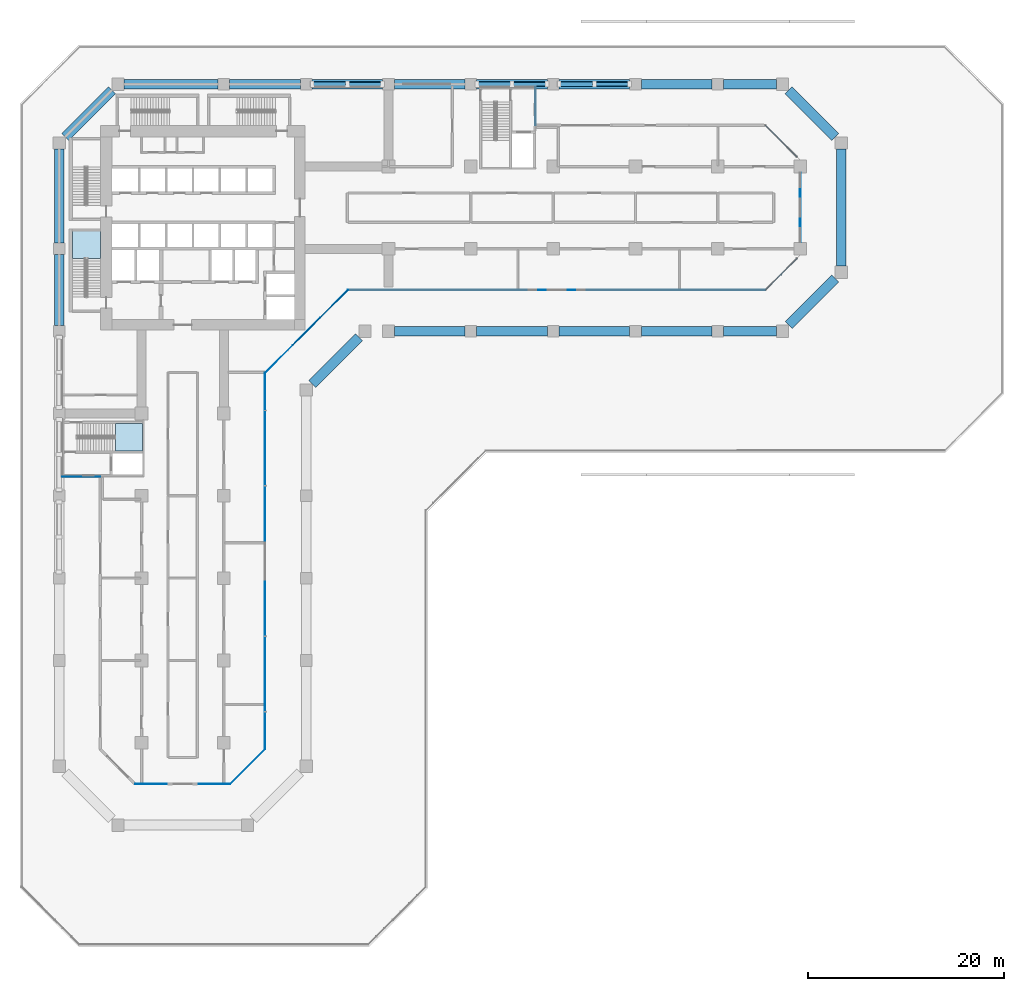
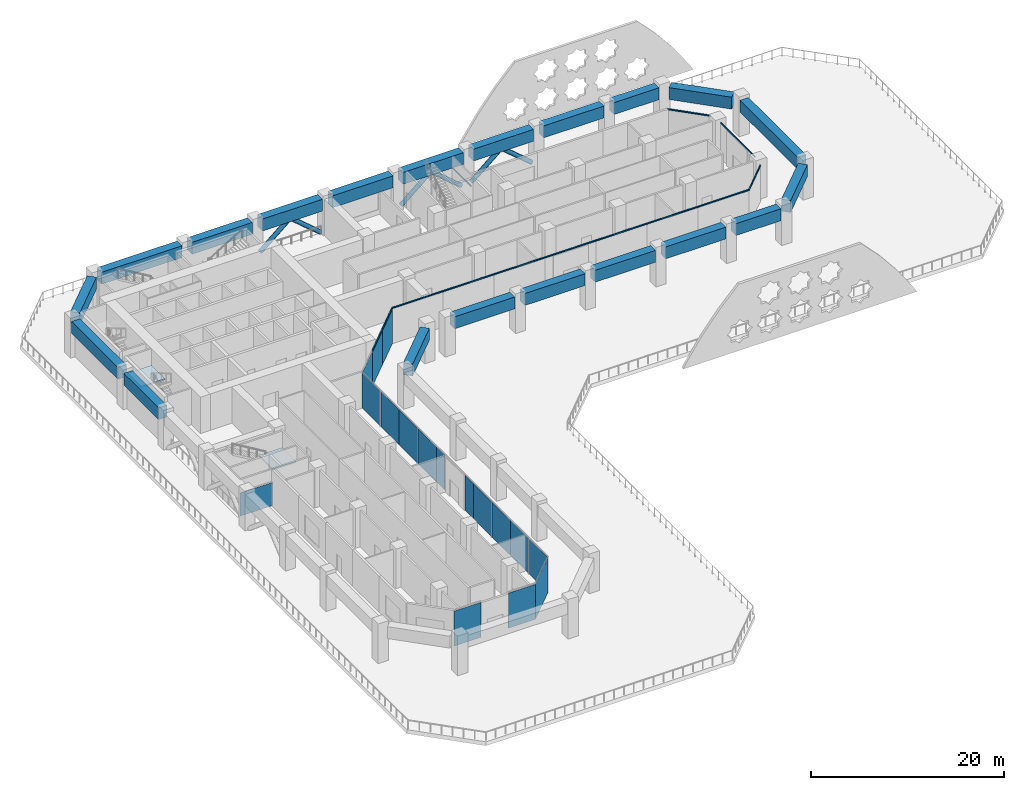
# One storey, part 3 of 19: 20 beams, 19 members, 17 plates, 2 slabs, 12 elements without a shape of their own.
"""IFC4 building model written with IfcOpenShell, lengths in metres."""

import ifcopenshell
import ifcopenshell.guid

model = None  # the IFC model being written
_history = None  # IfcOwnerHistory: only IFC2X3 demands one
_inside = {}  # id of a spatial element -> (the spatial element, [elements in it])
_under = {}  # id of a project, library or spatial element -> (it, [spatial elements below it])
_declared = {}  # id of a project -> (the project, [libraries it declares])
_typed = {}  # id of a type object -> (the type object, [elements of that type])
_made_of = {}  # id of a material, layer set ... -> (it, [elements and type objects made of it])


def new_model(schema):
    """Start an empty IFC model of exactly this schema.

    Asked for "IFC4X3", IfcOpenShell would pick the latest addendum, in which some entities
    have other attributes; the version numbers below select the first issue.
    IFC2X3 requires an IfcOwnerHistory on every rooted entity: one is made here for all.
    """
    global model, _history
    if schema == "IFC4X3":
        model = ifcopenshell.file(schema_version=(4, 3, 0, 0))
    else:
        model = ifcopenshell.file(schema=schema)
    _inside.clear()
    _under.clear()
    _declared.clear()
    _typed.clear()
    _made_of.clear()
    _history = None
    if model.schema == "IFC2X3":
        org = make("IfcOrganization", Name="unknown")
        user = make(
            "IfcPersonAndOrganization",
            ThePerson=make("IfcPerson", FamilyName="unknown"),
            TheOrganization=org,
        )
        app = make(
            "IfcApplication",
            ApplicationDeveloper=org,
            Version="unknown",
            ApplicationFullName="unknown",
            ApplicationIdentifier="unknown",
        )
        _history = make(
            "IfcOwnerHistory",
            OwningUser=user,
            OwningApplication=app,
            ChangeAction="ADDED",
            CreationDate=0,
        )
    return model


def make(cls, **values):
    """One entity of the class cls with the attributes given. An attribute that is None is left unset."""
    return model.create_entity(
        cls, **{name: value for name, value in values.items() if value is not None}
    )


def rooted(cls, **values):
    """An entity with a GlobalId (a new one), such as an element, a storey or a relation."""
    return make(cls, GlobalId=ifcopenshell.guid.new(), OwnerHistory=_history, **values)


def si_unit(unit_type, name, prefix=None):
    """IfcSIUnit, for example si_unit("LENGTHUNIT", "METRE", prefix="MILLI")."""
    return make("IfcSIUnit", UnitType=unit_type, Prefix=prefix, Name=name)


def assignment(units):
    """IfcUnitAssignment: the units of a project."""
    return None if units is None else make("IfcUnitAssignment", Units=units)


def point(xyz):
    """IfcCartesianPoint."""
    return None if xyz is None else make("IfcCartesianPoint", Coordinates=xyz)


def direction(xyz):
    """IfcDirection."""
    return None if xyz is None else make("IfcDirection", DirectionRatios=xyz)


def frame(location, z_axis=None, x_axis=None):
    """IfcAxis2Placement3D, a coordinate frame: its origin and axes. An axis left out is left unset."""
    return make(
        "IfcAxis2Placement3D",
        Location=point(location),
        Axis=direction(z_axis),
        RefDirection=direction(x_axis),
    )


def frame_2d(location, x_axis=None):
    """IfcAxis2Placement2D, a coordinate frame in the plane: its origin and x axis."""
    return make(
        "IfcAxis2Placement2D", Location=point(location), RefDirection=direction(x_axis)
    )


def origin():
    """The frame at (0, 0, 0) with its axes left unset."""
    return frame((0.0, 0.0, 0.0))


def origin_2d():
    """The frame at (0, 0) in the plane with its x axis left unset."""
    return frame_2d((0.0, 0.0))


def place(relative_to, where):
    """IfcLocalPlacement: puts the frame where relative to a parent placement (None: the world)."""
    return make(
        "IfcLocalPlacement", PlacementRelTo=relative_to, RelativePlacement=where
    )


def context(
    kind, dimensions, precision=None, world=None, true_north=None, identifier=None
):
    """IfcGeometricRepresentationContext, for example the 3D "Model" context."""
    return make(
        "IfcGeometricRepresentationContext",
        ContextIdentifier=identifier,
        ContextType=kind,
        CoordinateSpaceDimension=dimensions,
        Precision=precision,
        WorldCoordinateSystem=world,
        TrueNorth=true_north,
    )


def subcontext(parent, identifier, kind, view, scale=None):
    """IfcGeometricRepresentationSubContext, for example "Body" below "Model"."""
    return make(
        "IfcGeometricRepresentationSubContext",
        ContextIdentifier=identifier,
        ContextType=kind,
        ParentContext=parent,
        TargetScale=scale,
        TargetView=view,
    )


def project(units=None, contexts=None):
    """IfcProject with its units and contexts."""
    return rooted(
        "IfcProject",
        Name="project",
        RepresentationContexts=contexts,
        UnitsInContext=assignment(units),
    )


def spatial(cls, under=None, at=None, **own):
    """A site, building, storey or space (cls), placed at a placement, below another one or the project."""
    s = rooted(cls, ObjectPlacement=at, **own)
    if under is not None:
        _under.setdefault(under.id(), (under, []))[1].append(s)
    return s


def polyline(points):
    """IfcPolyline through the points."""
    return make("IfcPolyline", Points=[point(p) for p in points])


def profile(cls, at=None, kind="AREA", **sizes):
    """A parametric profile (cls). Its sizes go by their IFC names, for example OverallWidth=200.0."""
    return make(cls, ProfileType=kind, Position=at, **sizes)


def rectangle(**sizes):
    """IfcRectangleProfileDef."""
    return profile("IfcRectangleProfileDef", **sizes)


def hollow_circle(**sizes):
    """IfcCircleHollowProfileDef."""
    return profile("IfcCircleHollowProfileDef", **sizes)


def outline(outer, holes=None, kind="AREA"):
    """IfcArbitraryClosedProfileDef: a profile drawn as a closed curve; with holes, ...WithVoids."""
    if holes is None:
        return make("IfcArbitraryClosedProfileDef", ProfileType=kind, OuterCurve=outer)
    return make(
        "IfcArbitraryProfileDefWithVoids",
        ProfileType=kind,
        OuterCurve=outer,
        InnerCurves=holes,
    )


def extrude(swept, where, along, depth):
    """IfcExtrudedAreaSolid: the profile swept, set in the frame where, extruded along a direction by depth."""
    return make(
        "IfcExtrudedAreaSolid",
        SweptArea=swept,
        Position=where,
        ExtrudedDirection=direction(along),
        Depth=depth,
    )


def shape(context_of_items, identifier, shape_type, items):
    """IfcShapeRepresentation: the items that make up one representation, for example the "Body"."""
    return make(
        "IfcShapeRepresentation",
        ContextOfItems=context_of_items,
        RepresentationIdentifier=identifier,
        RepresentationType=shape_type,
        Items=items,
    )


def material(Name=None, Category=None):
    """IfcMaterial."""
    return make("IfcMaterial", Name=Name, Category=Category)


def layer(
    of_material, thickness, ventilated=None, Name=None, Category=None, Priority=None
):
    """IfcMaterialLayer: one layer of a wall or slab, of a material (None: an air gap)."""
    return make(
        "IfcMaterialLayer",
        Material=of_material,
        LayerThickness=thickness,
        IsVentilated=ventilated,
        Name=Name,
        Category=Category,
        Priority=Priority,
    )


def layer_set(layers, Name=None):
    """IfcMaterialLayerSet."""
    return make("IfcMaterialLayerSet", MaterialLayers=layers, LayerSetName=Name)


def material_profile(
    of_material, cross_section, Name=None, Category=None, Priority=None
):
    """IfcMaterialProfile: a cross section and its material."""
    return make(
        "IfcMaterialProfile",
        Name=Name,
        Material=of_material,
        Profile=cross_section,
        Priority=Priority,
        Category=Category,
    )


def profile_set(profiles, Name=None, composite=None):
    """IfcMaterialProfileSet."""
    return make(
        "IfcMaterialProfileSet",
        Name=Name,
        MaterialProfiles=profiles,
        CompositeProfile=composite,
    )


def made_of(thing, what):
    """Note that an element or type object is made of a material, layer set ...; save() writes the relation."""
    if what is not None:
        _made_of.setdefault(what.id(), (what, []))[1].append(thing)
    return thing


def type_object(cls, material=None, **own):
    """A type object (cls), such as IfcWallType, which elements share."""
    return made_of(rooted(cls, **own), material)


def element(
    cls,
    number,
    at=None,
    inside=None,
    cuts=None,
    type_object=None,
    material=None,
    context=None,
    identifier="Body",
    shape_type=None,
    held_by="IfcProductDefinitionShape",
    body=None,
    shapes=None,
    **own,
):
    """One element of the class cls, such as IfcWall. Its Tag is "e" and its number.

    at: its placement. inside: the storey or other place that contains it. cuts: it is an
    opening in that element (IfcRelVoidsElement). A single representation is given by context,
    identifier, shape_type and body (its items); several are given by shapes. held_by: the class
    of the entity that holds the representations. save() writes the other relations.
    """
    e = rooted(cls, Tag="e%d" % number, ObjectPlacement=at, **own)
    if body is not None:
        shapes = [shape(context, identifier, shape_type, body)]
    if shapes is not None:
        e.Representation = make(held_by, Representations=shapes)
    if inside is not None:
        _inside.setdefault(inside.id(), (inside, []))[1].append(e)
    if cuts is not None:
        rooted(
            "IfcRelVoidsElement", RelatingBuildingElement=cuts, RelatedOpeningElement=e
        )
    if type_object is not None:
        _typed.setdefault(type_object.id(), (type_object, []))[1].append(e)
    return made_of(e, material)


def aggregate(whole, parts):
    """IfcRelAggregates: a whole, such as a stair, and the parts it consists of."""
    return rooted("IfcRelAggregates", RelatingObject=whole, RelatedObjects=parts)


def save(model, path):
    """Write the relations noted so far, then the file.

    IfcRelAggregates (storeys below a building ...), IfcRelContainedInSpatialStructure (elements
    in a storey), IfcRelDefinesByType, IfcRelAssociatesMaterial and IfcRelDeclares: one each for
    every whole, place, type object, material and project.
    """
    for whole, parts in _under.values():
        aggregate(whole, parts)
    for where, things in _inside.values():
        rooted(
            "IfcRelContainedInSpatialStructure",
            RelatedElements=things,
            RelatingStructure=where,
        )
    for kind, things in _typed.values():
        rooted("IfcRelDefinesByType", RelatedObjects=things, RelatingType=kind)
    for what, things in _made_of.values():
        rooted("IfcRelAssociatesMaterial", RelatedObjects=things, RelatingMaterial=what)
    for by, libraries in _declared.values():
        rooted("IfcRelDeclares", RelatingContext=by, RelatedDefinitions=libraries)
    model.write(path)


model = new_model("IFC4")

# Units and contexts
model_context = context("Model", 3, precision=1e-05, world=origin(), true_north=direction((0.0, 1.0)))
body_context = subcontext(model_context, "Body", "Model", "MODEL_VIEW")
ifc_project = project(units=[si_unit("LENGTHUNIT", "METRE"), si_unit("AREAUNIT", "SQUARE_METRE"), si_unit("VOLUMEUNIT", "CUBIC_METRE"), si_unit("PLANEANGLEUNIT", "RADIAN"), si_unit("MASSUNIT", "GRAM", prefix="KILO")], contexts=[model_context])

# Site, building, storey
site_placement = place(None, origin())
site = spatial("IfcSite", under=ifc_project, at=site_placement, CompositionType="ELEMENT")
building_placement = place(site_placement, origin())
building = spatial("IfcBuilding", under=site, at=building_placement, Name="Kawkab Arch Medical Tower", CompositionType="ELEMENT")
storey_placement = place(building_placement, frame((0.0, 0.0, 34.199951171875)))
storey = spatial("IfcBuildingStorey", under=building, at=storey_placement, Name="L07", CompositionType="ELEMENT", Elevation=34.199951171875)

# Members
ifc_material_1 = material(Name="Steel S355", Category="steel")
ifc_material_profile_1 = material_profile(ifc_material_1, hollow_circle(Radius=0.25390625, WallThickness=0.02490234375, at=origin_2d()), Name="CHS 508x25")
ifc_profile_set_1 = profile_set([ifc_material_profile_1], Name="Steel S355")
member_type_1 = type_object("IfcMemberType", Name="CHS 508x25 belt truss brace S355", PredefinedType="BRACE", material=ifc_profile_set_1)
for number, where, z_axis, x_axis, name in (
    (1, (25.815185546875, 0.0, 0.143310546875), (0.762868613772, 0.0, 0.646553538481), (0.0, 1.0, 0.0), "Belt truss brace L07-N01A"),
    (2, (32.984619140625, 0.0, 0.143310546875), (-0.762846847317, 0.0, 0.646579219847), (0.0, -1.0, 0.0), "Belt truss brace L07-N01B"),
    (3, (42.615234375, 0.0, 0.143310546875), (0.762868613772, 0.0, 0.646553538481), (0.0, 1.0, 0.0), "Belt truss brace L07-N02A"),
    (4, (49.78466796875, 0.0, 0.143310546875), (-0.762868613772, 0.0, 0.646553538481), (0.0, -1.0, 0.0), "Belt truss brace L07-N02B"),
    (5, (51.015380859375, 0.0, 0.143310546875), (0.762846847317, 0.0, 0.646579219847), (0.0, 1.0, 0.0), "Belt truss brace L07-N03A"),
    (6, (58.184814453125, 0.0, 0.143310546875), (-0.762868613772, 0.0, 0.646553538481), (0.0, -1.0, 0.0), "Belt truss brace L07-N03B"),
):
    element("IfcMember", number, at=place(storey_placement, frame(where, z_axis=z_axis, x_axis=x_axis)), inside=storey, type_object=member_type_1, Name=name, PredefinedType="BRACE", context=body_context, shape_type="SweptSolid", body=[
        extrude(hollow_circle(Radius=0.25390625, WallThickness=0.02490234375, at=origin_2d()), origin(), (0.0, 0.0, 1.0), 4.68896484375),
    ])

# Curtain wall, members
ifc_material_2 = material(Name="Bronze anodised aluminium curtain wall frame", Category="aluminium")
ifc_layer_1 = layer(ifc_material_2, 0.159912109375)
ifc_layer_set_1 = layer_set([ifc_layer_1], Name="Bronze anodised aluminium curtain wall frame")
curtain_wall_type = type_object("IfcCurtainWallType", Name="CW4 refuge floor fire-protected glazing", PredefinedType="NOTDEFINED", material=ifc_layer_set_1)
placement_1 = place(storey_placement, origin())
curtain_wall_1 = element("IfcCurtainWall", 7, at=placement_1, inside=storey, type_object=curtain_wall_type, Name="CW4 Refuge floor fire-protected glazing R10", PredefinedType="NOTDEFINED")
ifc_material_3 = material(Name="Bronze anodised aluminium curtain wall frame", Category="aluminium")
ifc_material_profile_2 = material_profile(ifc_material_3, rectangle(XDim=0.080078125, YDim=0.159912109375, at=origin_2d()), Name="AL 80x160")
ifc_profile_set_2 = profile_set([ifc_material_profile_2], Name="Bronze anodised aluminium curtain wall frame")
member_type_2 = type_object("IfcMemberType", Name="CW4 transom 160 x 80", PredefinedType="USERDEFINED", material=ifc_profile_set_2)
member_1_placement = place(storey_placement, frame((23.820068359375, -26.639892578125, 4.5), z_axis=(0.707106781187, 0.707106781187, 0.0), x_axis=(-0.707106781187, 0.707106781187, 0.0)))
member_1 = element("IfcMember", 8, at=member_1_placement, type_object=member_type_2, Name="CW4 transom 2", ObjectType="TRANSOM", PredefinedType="USERDEFINED", context=body_context, shape_type="SweptSolid", body=[
    extrude(rectangle(XDim=0.080078125, YDim=0.159912109375, at=origin_2d()), origin(), (0.0, 0.0, 1.0), 3.98779296875),
])
member_2_placement = place(storey_placement, frame((26.639892578125, -23.820068359375, 4.5), z_axis=(0.707106781187, 0.707106781187, 0.0), x_axis=(-0.707106781187, 0.707106781187, 0.0)))
member_2 = element("IfcMember", 9, at=member_2_placement, type_object=member_type_2, Name="CW4 transom 3", ObjectType="TRANSOM", PredefinedType="USERDEFINED", context=body_context, shape_type="SweptSolid", body=[
    extrude(rectangle(XDim=0.080078125, YDim=0.159912109375, at=origin_2d()), origin(), (0.0, 0.0, 1.0), 3.98828125),
])

curtain_wall_2 = element("IfcCurtainWall", 10, at=placement_1, inside=storey, type_object=curtain_wall_type, Name="CW4 Refuge floor fire-protected glazing R11", PredefinedType="NOTDEFINED")
member_3_placement = place(storey_placement, frame((29.4599609375, -21.0, 4.5), z_axis=(1.0, 0.0, 0.0), x_axis=(0.0, 1.0, 0.0)))
member_3 = element("IfcMember", 11, at=member_3_placement, type_object=member_type_2, Name="CW4 transom 1", ObjectType="TRANSOM", PredefinedType="USERDEFINED", context=body_context, shape_type="SweptSolid", body=[
    extrude(rectangle(XDim=0.080078125, YDim=0.159912109375, at=origin_2d()), origin(), (0.0, 0.0, 1.0), 6.085693359375),
])
member_4_placement = place(storey_placement, frame((35.545654296875, -21.0, 4.5), z_axis=(1.0, 0.0, 0.0), x_axis=(0.0, 1.0, 0.0)))
member_4 = element("IfcMember", 12, at=member_4_placement, type_object=member_type_2, Name="CW4 transom 2", ObjectType="TRANSOM", PredefinedType="USERDEFINED", context=body_context, shape_type="SweptSolid", body=[
    extrude(rectangle(XDim=0.080078125, YDim=0.159912109375, at=origin_2d()), origin(), (0.0, 0.0, 1.0), 6.085693359375),
])
member_5_placement = place(storey_placement, frame((41.63134765625, -21.0, 4.5), z_axis=(1.0, 0.0, 0.0), x_axis=(0.0, 1.0, 0.0)))
member_5 = element("IfcMember", 13, at=member_5_placement, type_object=member_type_2, Name="CW4 transom 3", ObjectType="TRANSOM", PredefinedType="USERDEFINED", context=body_context, shape_type="SweptSolid", body=[
    extrude(rectangle(XDim=0.080078125, YDim=0.159912109375, at=origin_2d()), origin(), (0.0, 0.0, 1.0), 6.085693359375),
])
member_6_placement = place(storey_placement, frame((47.717041015625, -21.0, 4.5), z_axis=(1.0, 0.0, 0.0), x_axis=(0.0, 1.0, 0.0)))
member_6 = element("IfcMember", 14, at=member_6_placement, type_object=member_type_2, Name="CW4 transom 4", ObjectType="TRANSOM", PredefinedType="USERDEFINED", context=body_context, shape_type="SweptSolid", body=[
    extrude(rectangle(XDim=0.080078125, YDim=0.159912109375, at=origin_2d()), origin(), (0.0, 0.0, 1.0), 6.0859375),
])
member_7_placement = place(storey_placement, frame((53.802978515625, -21.0, 4.5), z_axis=(1.0, 0.0, 0.0), x_axis=(0.0, 1.0, 0.0)))
member_7 = element("IfcMember", 15, at=member_7_placement, type_object=member_type_2, Name="CW4 transom 5", ObjectType="TRANSOM", PredefinedType="USERDEFINED", context=body_context, shape_type="SweptSolid", body=[
    extrude(rectangle(XDim=0.080078125, YDim=0.159912109375, at=origin_2d()), origin(), (0.0, 0.0, 1.0), 6.085693359375),
])
member_8_placement = place(storey_placement, frame((59.888671875, -21.0, 4.5), z_axis=(1.0, 0.0, 0.0), x_axis=(0.0, 1.0, 0.0)))
member_8 = element("IfcMember", 16, at=member_8_placement, type_object=member_type_2, Name="CW4 transom 6", ObjectType="TRANSOM", PredefinedType="USERDEFINED", context=body_context, shape_type="SweptSolid", body=[
    extrude(rectangle(XDim=0.080078125, YDim=0.159912109375, at=origin_2d()), origin(), (0.0, 0.0, 1.0), 6.085693359375),
])
member_9_placement = place(storey_placement, frame((65.974365234375, -21.0, 4.5), z_axis=(1.0, 0.0, 0.0), x_axis=(0.0, 1.0, 0.0)))
member_9 = element("IfcMember", 17, at=member_9_placement, type_object=member_type_2, Name="CW4 transom 7", ObjectType="TRANSOM", PredefinedType="USERDEFINED", context=body_context, shape_type="SweptSolid", body=[
    extrude(rectangle(XDim=0.080078125, YDim=0.159912109375, at=origin_2d()), origin(), (0.0, 0.0, 1.0), 6.085693359375),
])
aggregate(curtain_wall_2, [member_3, member_4, member_5, member_6, member_7, member_8, member_9])

# Curtain wall, member
curtain_wall_3 = element("IfcCurtainWall", 18, at=placement_1, inside=storey, type_object=curtain_wall_type, Name="CW4 Refuge floor fire-protected glazing R12", PredefinedType="NOTDEFINED")
member_10_placement = place(storey_placement, frame((72.06005859375, -21.0, 4.5), z_axis=(0.707106781187, 0.707106781187, 0.0), x_axis=(-0.707106781187, 0.707106781187, 0.0)))
member_10 = element("IfcMember", 19, at=member_10_placement, type_object=member_type_2, Name="CW4 transom 1", ObjectType="TRANSOM", PredefinedType="USERDEFINED", context=body_context, shape_type="SweptSolid", body=[
    extrude(rectangle(XDim=0.080078125, YDim=0.159912109375, at=origin_2d()), origin(), (0.0, 0.0, 1.0), 4.5537109375),
])
aggregate(curtain_wall_3, [member_10])

curtain_wall_4 = element("IfcCurtainWall", 20, at=placement_1, inside=storey, type_object=curtain_wall_type, Name="CW4 Refuge floor fire-protected glazing R13", PredefinedType="NOTDEFINED")
member_11_placement = place(storey_placement, frame((75.60009765625, -16.14990234375, 4.5), z_axis=(0.0, 1.0, 0.0), x_axis=(-1.0, 0.0, 0.0)))
member_11 = element("IfcMember", 21, at=member_11_placement, type_object=member_type_2, Name="CW4 transom 1", ObjectType="TRANSOM", PredefinedType="USERDEFINED", context=body_context, shape_type="SweptSolid", body=[
    extrude(rectangle(XDim=0.080078125, YDim=0.159912109375, at=origin_2d()), origin(), (0.0, 0.0, 1.0), 7.099853515625),
])
aggregate(curtain_wall_4, [member_11])

curtain_wall_5 = element("IfcCurtainWall", 22, at=placement_1, inside=storey, type_object=curtain_wall_type, Name="CW4 Refuge floor fire-protected glazing R14", PredefinedType="NOTDEFINED")
member_12_placement = place(storey_placement, frame((75.280029296875, -7.419921875, 4.5), z_axis=(-0.707106781187, 0.707106781187, 0.0), x_axis=(-0.707106781187, -0.707106781187, 0.0)))
member_12 = element("IfcMember", 23, at=member_12_placement, type_object=member_type_2, Name="CW4 transom 1", ObjectType="TRANSOM", PredefinedType="USERDEFINED", context=body_context, shape_type="SweptSolid", body=[
    extrude(rectangle(XDim=0.080078125, YDim=0.159912109375, at=origin_2d()), origin(), (0.0, 0.0, 1.0), 4.5537109375),
])
aggregate(curtain_wall_5, [member_12])

curtain_wall_6 = element("IfcCurtainWall", 24, at=placement_1, inside=storey, type_object=curtain_wall_type, Name="CW4 Refuge floor fire-protected glazing R16", PredefinedType="NOTDEFINED")
member_13_placement = place(storey_placement, frame((48.60107421875, -4.199951171875, 3.0), z_axis=(0.0, 1.0, 0.0), x_axis=(-1.0, 0.0, 0.0)))
member_13 = element("IfcMember", 25, at=member_13_placement, type_object=member_type_2, Name="CW4 transom 1", ObjectType="TRANSOM", PredefinedType="USERDEFINED", context=body_context, shape_type="SweptSolid", body=[
    extrude(rectangle(XDim=0.080078125, YDim=0.159912109375, at=origin_2d()), origin(), (0.0, 0.0, 1.0), 3.89990234375),
])
aggregate(curtain_wall_6, [member_13])

# Beams
ifc_material_4 = material(Name="Concrete C60/75", Category="concrete")
ifc_material_profile_3 = material_profile(ifc_material_4, rectangle(XDim=1.0, YDim=1.5, at=origin_2d()), Name="RC 1000x1500")
ifc_profile_set_3 = profile_set([ifc_material_profile_3], Name="Concrete C60/75")
beam_type = type_object("IfcBeamType", Name="RC 1000x1500 beam C60/75", PredefinedType="SPANDREL", material=ifc_profile_set_3)
beam_1_placement = place(storey_placement, frame((0.625, -5.375, 3.830078125), z_axis=(0.707106781187, 0.707106781187, 0.0), x_axis=(-0.707106781187, 0.707106781187, 0.0)))
element("IfcBeam", 26, at=beam_1_placement, inside=storey, type_object=beam_type, Name="Belt beam L07-01", PredefinedType="SPANDREL", context=body_context, shape_type="SweptSolid", body=[
    extrude(rectangle(XDim=1.0, YDim=1.5, at=origin_2d()), origin(), (0.0, 0.0, 1.0), 6.717529296875),
])
beam_2_placement = place(storey_placement, frame((6.625, 0.0, 3.830078125), z_axis=(1.0, 0.0, 0.0), x_axis=(0.0, 1.0, 0.0)))
element("IfcBeam", 27, at=beam_2_placement, inside=storey, type_object=beam_type, Name="Belt beam L07-02", PredefinedType="SPANDREL", context=body_context, shape_type="SweptSolid", body=[
    extrude(rectangle(XDim=1.0, YDim=1.5, at=origin_2d()), origin(), (0.0, 0.0, 1.0), 9.574951171875),
])
beam_3_placement = place(storey_placement, frame((17.39990234375, 0.0, 3.830078125), z_axis=(1.0, 0.0, 0.0), x_axis=(0.0, 1.0, 0.0)))
element("IfcBeam", 28, at=beam_3_placement, inside=storey, type_object=beam_type, Name="Belt beam L07-03", PredefinedType="SPANDREL", context=body_context, shape_type="SweptSolid", body=[
    extrude(rectangle(XDim=1.0, YDim=1.5, at=origin_2d()), origin(), (0.0, 0.0, 1.0), 7.2001953125),
])
for number, where, z_axis, x_axis, name in (
    (29, (25.800048828125, 0.0, 3.830078125), (1.0, 0.0, 0.0), (0.0, 1.0, 0.0), "Belt beam L07-04"),
    (30, (34.199951171875, 0.0, 3.830078125), (1.0, 0.0, 0.0), (0.0, 1.0, 0.0), "Belt beam L07-05"),
    (31, (42.60009765625, 0.0, 3.830078125), (1.0, 0.0, 0.0), (0.0, 1.0, 0.0), "Belt beam L07-06"),
    (32, (51.0, 0.0, 3.830078125), (1.0, 0.0, 0.0), (0.0, 1.0, 0.0), "Belt beam L07-07"),
):
    element("IfcBeam", number, at=place(storey_placement, frame(where, z_axis=z_axis, x_axis=x_axis)), inside=storey, type_object=beam_type, Name=name, PredefinedType="SPANDREL", context=body_context, shape_type="SweptSolid", body=[
        extrude(rectangle(XDim=1.0, YDim=1.5, at=origin_2d()), origin(), (0.0, 0.0, 1.0), 7.199951171875),
    ])
beam_4_placement = place(storey_placement, frame((59.39990234375, 0.0, 3.830078125), z_axis=(1.0, 0.0, 0.0), x_axis=(0.0, 1.0, 0.0)))
element("IfcBeam", 33, at=beam_4_placement, inside=storey, type_object=beam_type, Name="Belt beam L07-08", PredefinedType="SPANDREL", context=body_context, shape_type="SweptSolid", body=[
    extrude(rectangle(XDim=1.0, YDim=1.5, at=origin_2d()), origin(), (0.0, 0.0, 1.0), 7.2001953125),
])
beam_5_placement = place(storey_placement, frame((67.800048828125, 0.0, 3.830078125), z_axis=(1.0, 0.0, 0.0), x_axis=(0.0, 1.0, 0.0)))
element("IfcBeam", 34, at=beam_5_placement, inside=storey, type_object=beam_type, Name="Belt beam L07-09", PredefinedType="SPANDREL", context=body_context, shape_type="SweptSolid", body=[
    extrude(rectangle(XDim=1.0, YDim=1.5, at=origin_2d()), origin(), (0.0, 0.0, 1.0), 5.375),
])
beam_6_placement = place(storey_placement, frame((74.425048828125, -0.625, 3.830078125), z_axis=(0.707106781187, -0.707106781187, 0.0), x_axis=(0.707106781187, 0.707106781187, 0.0)))
element("IfcBeam", 35, at=beam_6_placement, inside=storey, type_object=beam_type, Name="Belt beam L07-10", PredefinedType="SPANDREL", context=body_context, shape_type="SweptSolid", body=[
    extrude(rectangle(XDim=1.0, YDim=1.5, at=origin_2d()), origin(), (0.0, 0.0, 1.0), 6.717529296875),
])
beam_7_placement = place(storey_placement, frame((79.800048828125, -6.625, 3.830078125), z_axis=(0.0, -1.0, 0.0), x_axis=(1.0, 0.0, 0.0)))
element("IfcBeam", 36, at=beam_7_placement, inside=storey, type_object=beam_type, Name="Belt beam L07-11", PredefinedType="SPANDREL", context=body_context, shape_type="SweptSolid", body=[
    extrude(rectangle(XDim=1.0, YDim=1.5, at=origin_2d()), origin(), (0.0, 0.0, 1.0), 11.949951171875),
])
beam_8_placement = place(storey_placement, frame((79.175048828125, -19.824951171875, 3.830078125), z_axis=(-0.707106781187, -0.707106781187, 0.0), x_axis=(0.707106781187, -0.707106781187, 0.0)))
element("IfcBeam", 37, at=beam_8_placement, inside=storey, type_object=beam_type, Name="Belt beam L07-12", PredefinedType="SPANDREL", context=body_context, shape_type="SweptSolid", body=[
    extrude(rectangle(XDim=1.0, YDim=1.5, at=origin_2d()), origin(), (0.0, 0.0, 1.0), 6.717529296875),
])
beam_9_placement = place(storey_placement, frame((73.175048828125, -25.199951171875, 3.830078125), z_axis=(-1.0, 0.0, 0.0), x_axis=(0.0, -1.0, 0.0)))
element("IfcBeam", 38, at=beam_9_placement, inside=storey, type_object=beam_type, Name="Belt beam L07-13", PredefinedType="SPANDREL", context=body_context, shape_type="SweptSolid", body=[
    extrude(rectangle(XDim=1.0, YDim=1.5, at=origin_2d()), origin(), (0.0, 0.0, 1.0), 5.375),
])
beam_10_placement = place(storey_placement, frame((66.60009765625, -25.199951171875, 3.830078125), z_axis=(-1.0, 0.0, 0.0), x_axis=(0.0, -1.0, 0.0)))
element("IfcBeam", 39, at=beam_10_placement, inside=storey, type_object=beam_type, Name="Belt beam L07-14", PredefinedType="SPANDREL", context=body_context, shape_type="SweptSolid", body=[
    extrude(rectangle(XDim=1.0, YDim=1.5, at=origin_2d()), origin(), (0.0, 0.0, 1.0), 7.2001953125),
])
for number, where, z_axis, x_axis, name in (
    (40, (58.199951171875, -25.199951171875, 3.830078125), (-1.0, 0.0, 0.0), (0.0, -1.0, 0.0), "Belt beam L07-15"),
    (41, (49.800048828125, -25.199951171875, 3.830078125), (-1.0, 0.0, 0.0), (0.0, -1.0, 0.0), "Belt beam L07-16"),
):
    element("IfcBeam", number, at=place(storey_placement, frame(where, z_axis=z_axis, x_axis=x_axis)), inside=storey, type_object=beam_type, Name=name, PredefinedType="SPANDREL", context=body_context, shape_type="SweptSolid", body=[
        extrude(rectangle(XDim=1.0, YDim=1.5, at=origin_2d()), origin(), (0.0, 0.0, 1.0), 7.199951171875),
    ])
beam_11_placement = place(storey_placement, frame((41.39990234375, -25.199951171875, 3.830078125), z_axis=(-1.0, 0.0, 0.0), x_axis=(0.0, -1.0, 0.0)))
element("IfcBeam", 42, at=beam_11_placement, inside=storey, type_object=beam_type, Name="Belt beam L07-17", PredefinedType="SPANDREL", context=body_context, shape_type="SweptSolid", body=[
    extrude(rectangle(XDim=1.0, YDim=1.5, at=origin_2d()), origin(), (0.0, 0.0, 1.0), 7.1748046875),
])
beam_12_placement = place(storey_placement, frame((30.574951171875, -25.824951171875, 3.830078125), z_axis=(-0.707106781187, -0.707106781187, 0.0), x_axis=(0.707106781187, -0.707106781187, 0.0)))
element("IfcBeam", 43, at=beam_12_placement, inside=storey, type_object=beam_type, Name="Belt beam L07-19", PredefinedType="SPANDREL", context=body_context, shape_type="SweptSolid", body=[
    extrude(rectangle(XDim=1.0, YDim=1.5, at=origin_2d()), origin(), (0.0, 0.0, 1.0), 6.717529296875),
])
beam_13_placement = place(storey_placement, frame((0.0, -24.60009765625, 3.830078125), z_axis=(0.0, 1.0, 0.0), x_axis=(-1.0, 0.0, 0.0)))
element("IfcBeam", 44, at=beam_13_placement, inside=storey, type_object=beam_type, Name="Belt beam L07-32", PredefinedType="SPANDREL", context=body_context, shape_type="SweptSolid", body=[
    extrude(rectangle(XDim=1.0, YDim=1.5, at=origin_2d()), origin(), (0.0, 0.0, 1.0), 7.2001953125),
])
beam_14_placement = place(storey_placement, frame((0.0, -16.199951171875, 3.830078125), z_axis=(0.0, 1.0, 0.0), x_axis=(-1.0, 0.0, 0.0)))
element("IfcBeam", 45, at=beam_14_placement, inside=storey, type_object=beam_type, Name="Belt beam L07-33", PredefinedType="SPANDREL", context=body_context, shape_type="SweptSolid", body=[
    extrude(rectangle(XDim=1.0, YDim=1.5, at=origin_2d()), origin(), (0.0, 0.0, 1.0), 9.574951171875),
])

# Curtain wall, plate
curtain_wall_7 = element("IfcCurtainWall", 46, at=placement_1, inside=storey, type_object=curtain_wall_type, Name="CW4 Refuge floor fire-protected glazing R04", PredefinedType="NOTDEFINED")
ifc_material_5 = material(Name="Fire-resisting laminated glass", Category="glass")
ifc_layer_2 = layer(ifc_material_5, 0.0400390625)
ifc_layer_set_2 = layer_set([ifc_layer_2], Name="Fire-resisting laminated glass")
plate_type = type_object("IfcPlateType", Name="CW4 glazing unit 40", PredefinedType="CURTAIN_PANEL", material=ifc_layer_set_2)
plate_1_placement = place(storey_placement, frame((2.25, -40.050048828125, 0.0), z_axis=(0.0, 0.0, 1.0), x_axis=(1.0, 0.0, 0.0)))
plate_1 = element("IfcPlate", 47, at=plate_1_placement, type_object=plate_type, Name="CW4 glazing unit 1.1", PredefinedType="CURTAIN_PANEL", context=body_context, shape_type="SweptSolid", body=[
    extrude(rectangle(XDim=3.89990234375, YDim=0.0400390625, at=origin_2d()), origin(), (0.0, 0.0, 1.0), 2.919921875),
])
aggregate(curtain_wall_7, [plate_1])

# Curtain wall, plates
curtain_wall_8 = element("IfcCurtainWall", 48, at=placement_1, inside=storey, type_object=curtain_wall_type, Name="CW4 Refuge floor fire-protected glazing R07", PredefinedType="NOTDEFINED")
plate_2_placement = place(storey_placement, frame((9.360107421875, -71.40087890625, 0.0), z_axis=(0.0, 0.0, 1.0), x_axis=(1.0, 0.0, 0.0)))
plate_2 = element("IfcPlate", 49, at=plate_2_placement, type_object=plate_type, Name="CW4 glazing unit 1.1", PredefinedType="CURTAIN_PANEL", context=body_context, shape_type="SweptSolid", body=[
    extrude(rectangle(XDim=3.239990234375, YDim=0.0400390625, at=origin_2d()), origin(), (0.0, 0.0, 1.0), 4.419921875),
])
plate_3_placement = place(storey_placement, frame((15.840087890625, -71.40087890625, 0.0), z_axis=(0.0, 0.0, 1.0), x_axis=(1.0, 0.0, 0.0)))
plate_3 = element("IfcPlate", 50, at=plate_3_placement, type_object=plate_type, Name="CW4 glazing unit 3.1", PredefinedType="CURTAIN_PANEL", context=body_context, shape_type="SweptSolid", body=[
    extrude(rectangle(XDim=3.239990234375, YDim=0.0400390625, at=origin_2d()), origin(), (0.0, 0.0, 1.0), 4.419921875),
])
aggregate(curtain_wall_8, [plate_2, plate_3])

# Curtain wall, plate
curtain_wall_9 = element("IfcCurtainWall", 51, at=placement_1, inside=storey, type_object=curtain_wall_type, Name="CW4 Refuge floor fire-protected glazing R08", PredefinedType="NOTDEFINED")
plate_4_placement = place(storey_placement, frame((19.22998046875, -69.6298828125, 0.0), z_axis=(0.0, 0.0, 1.0), x_axis=(0.707106781187, 0.707106781187, 0.0)))
plate_4 = element("IfcPlate", 52, at=plate_4_placement, type_object=plate_type, Name="CW4 glazing unit 1.1", PredefinedType="CURTAIN_PANEL", context=body_context, shape_type="SweptSolid", body=[
    extrude(rectangle(XDim=5.00634765625, YDim=0.0400390625, at=origin_2d()), origin(), (0.0, 0.0, 1.0), 4.419921875),
])
aggregate(curtain_wall_9, [plate_4])

# Curtain wall, plates
curtain_wall_10 = element("IfcCurtainWall", 53, at=placement_1, inside=storey, type_object=curtain_wall_type, Name="CW4 Refuge floor fire-protected glazing R09", PredefinedType="NOTDEFINED")
plate_5_placement = place(storey_placement, frame((21.0, -65.9599609375, 0.0), z_axis=(0.0, 0.0, 1.0), x_axis=(0.0, 1.0, 0.0)))
plate_5 = element("IfcPlate", 54, at=plate_5_placement, type_object=plate_type, Name="CW4 glazing unit 1.1", PredefinedType="CURTAIN_PANEL", context=body_context, shape_type="SweptSolid", body=[
    extrude(rectangle(XDim=3.800048828125, YDim=0.0400390625, at=origin_2d()), origin(), (0.0, 0.0, 1.0), 4.419921875),
])
plate_6_placement = place(storey_placement, frame((21.0, -62.080078125, 0.0), z_axis=(0.0, 0.0, 1.0), x_axis=(0.0, 1.0, 0.0)))
plate_6 = element("IfcPlate", 55, at=plate_6_placement, type_object=plate_type, Name="CW4 glazing unit 1.2", PredefinedType="CURTAIN_PANEL", context=body_context, shape_type="SweptSolid", body=[
    extrude(rectangle(XDim=3.800048828125, YDim=0.0400390625, at=origin_2d()), origin(), (0.0, 0.0, 1.0), 4.419921875),
])
plate_7_placement = place(storey_placement, frame((21.0, -58.280029296875, 0.0), z_axis=(0.0, 0.0, 1.0), x_axis=(0.0, 1.0, 0.0)))
plate_7 = element("IfcPlate", 56, at=plate_7_placement, type_object=plate_type, Name="CW4 glazing unit 2.1", PredefinedType="CURTAIN_PANEL", context=body_context, shape_type="SweptSolid", body=[
    extrude(rectangle(XDim=3.800048828125, YDim=0.0400390625, at=origin_2d()), origin(), (0.0, 0.0, 1.0), 4.419921875),
])
plate_8_placement = place(storey_placement, frame((21.0, -54.39990234375, 0.0), z_axis=(0.0, 0.0, 1.0), x_axis=(0.0, 1.0, 0.0)))
plate_8 = element("IfcPlate", 57, at=plate_8_placement, type_object=plate_type, Name="CW4 glazing unit 2.2", PredefinedType="CURTAIN_PANEL", context=body_context, shape_type="SweptSolid", body=[
    extrude(rectangle(XDim=3.800048828125, YDim=0.0400390625, at=origin_2d()), origin(), (0.0, 0.0, 1.0), 4.419921875),
])
plate_9_placement = place(storey_placement, frame((21.0, -51.6298828125, 0.0), z_axis=(0.0, 0.0, 1.0), x_axis=(0.0, 1.0, 0.0)))
plate_9 = element("IfcPlate", 58, at=plate_9_placement, type_object=plate_type, Name="CW4 glazing unit 3.1", PredefinedType="CURTAIN_PANEL", context=body_context, shape_type="SweptSolid", body=[
    extrude(rectangle(XDim=1.739990234375, YDim=0.0400390625, at=origin_2d()), origin(), (0.0, 0.0, 1.0), 4.419921875),
])
plate_10_placement = place(storey_placement, frame((21.0, -45.68994140625, 0.0), z_axis=(0.0, 0.0, 1.0), x_axis=(0.0, 1.0, 0.0)))
plate_10 = element("IfcPlate", 59, at=plate_10_placement, type_object=plate_type, Name="CW4 glazing unit 3.3", PredefinedType="CURTAIN_PANEL", context=body_context, shape_type="SweptSolid", body=[
    extrude(rectangle(XDim=1.739990234375, YDim=0.0400390625, at=origin_2d()), origin(), (0.0, 0.0, 1.0), 4.419921875),
])
plate_11_placement = place(storey_placement, frame((21.0, -42.919921875, 0.0), z_axis=(0.0, 0.0, 1.0), x_axis=(0.0, 1.0, 0.0)))
plate_11 = element("IfcPlate", 60, at=plate_11_placement, type_object=plate_type, Name="CW4 glazing unit 4.1", PredefinedType="CURTAIN_PANEL", context=body_context, shape_type="SweptSolid", body=[
    extrude(rectangle(XDim=3.800048828125, YDim=0.0400390625, at=origin_2d()), origin(), (0.0, 0.0, 1.0), 4.419921875),
])
plate_12_placement = place(storey_placement, frame((21.0, -39.0400390625, 0.0), z_axis=(0.0, 0.0, 1.0), x_axis=(0.0, 1.0, 0.0)))
plate_12 = element("IfcPlate", 61, at=plate_12_placement, type_object=plate_type, Name="CW4 glazing unit 4.2", PredefinedType="CURTAIN_PANEL", context=body_context, shape_type="SweptSolid", body=[
    extrude(rectangle(XDim=3.800048828125, YDim=0.0400390625, at=origin_2d()), origin(), (0.0, 0.0, 1.0), 4.419921875),
])
plate_13_placement = place(storey_placement, frame((21.0, -35.239990234375, 0.0), z_axis=(0.0, 0.0, 1.0), x_axis=(0.0, 1.0, 0.0)))
plate_13 = element("IfcPlate", 62, at=plate_13_placement, type_object=plate_type, Name="CW4 glazing unit 5.1", PredefinedType="CURTAIN_PANEL", context=body_context, shape_type="SweptSolid", body=[
    extrude(rectangle(XDim=3.800048828125, YDim=0.0400390625, at=origin_2d()), origin(), (0.0, 0.0, 1.0), 4.419921875),
])
plate_14_placement = place(storey_placement, frame((21.0, -31.360107421875, 0.0), z_axis=(0.0, 0.0, 1.0), x_axis=(0.0, 1.0, 0.0)))
plate_14 = element("IfcPlate", 63, at=plate_14_placement, type_object=plate_type, Name="CW4 glazing unit 5.2", PredefinedType="CURTAIN_PANEL", context=body_context, shape_type="SweptSolid", body=[
    extrude(rectangle(XDim=3.800048828125, YDim=0.0400390625, at=origin_2d()), origin(), (0.0, 0.0, 1.0), 4.419921875),
])
aggregate(curtain_wall_10, [plate_5, plate_6, plate_7, plate_8, plate_9, plate_10, plate_11, plate_12, plate_13, plate_14])

# Plate
plate_15_placement = place(storey_placement, frame((22.409912109375, -28.050048828125, 0.0), z_axis=(0.0, 0.0, 1.0), x_axis=(0.707106781187, 0.707106781187, 0.0)))
plate_15 = element("IfcPlate", 64, at=plate_15_placement, type_object=plate_type, Name="CW4 glazing unit 1.1", PredefinedType="CURTAIN_PANEL", context=body_context, shape_type="SweptSolid", body=[
    extrude(rectangle(XDim=3.988037109375, YDim=0.0400390625, at=origin_2d()), origin(), (0.0, 0.0, 1.0), 4.419921875),
])

plate_16_placement = place(storey_placement, frame((25.22998046875, -25.22998046875, 0.0), z_axis=(0.0, 0.0, 1.0), x_axis=(0.707106781187, 0.707106781187, 0.0)))
plate_16 = element("IfcPlate", 65, at=plate_16_placement, type_object=plate_type, Name="CW4 glazing unit 2.1", PredefinedType="CURTAIN_PANEL", context=body_context, shape_type="SweptSolid", body=[
    extrude(rectangle(XDim=3.988037109375, YDim=0.0400390625, at=origin_2d()), origin(), (0.0, 0.0, 1.0), 4.419921875),
])

plate_17_placement = place(storey_placement, frame((28.050048828125, -22.409912109375, 0.0), z_axis=(0.0, 0.0, 1.0), x_axis=(0.707106781187, 0.707106781187, 0.0)))
plate_17 = element("IfcPlate", 66, at=plate_17_placement, type_object=plate_type, Name="CW4 glazing unit 3.1", PredefinedType="CURTAIN_PANEL", context=body_context, shape_type="SweptSolid", body=[
    extrude(rectangle(XDim=3.988037109375, YDim=0.0400390625, at=origin_2d()), origin(), (0.0, 0.0, 1.0), 4.419921875),
])

aggregate(curtain_wall_1, [plate_15, member_1, plate_16, member_2, plate_17])

# Stair, slab
ifc_material_6 = material(Name="Concrete C40/50", Category="concrete")
stair_type = type_object("IfcStairType", Name="Exit stair 1350", PredefinedType="HALF_TURN_STAIR", material=ifc_material_6)
stair_1 = element("IfcStair", 67, at=placement_1, inside=storey, type_object=stair_type, Name="L07 Exit stair ST2", PredefinedType="HALF_TURN_STAIR")
ifc_material_7 = material(Name="Concrete C40/50", Category="concrete")
ifc_layer_3 = layer(ifc_material_7, 0.199951171875)
ifc_layer_set_3 = layer_set([ifc_layer_3], Name="Concrete C40/50")
slab_type = type_object("IfcSlabType", Name="Exit stair landing 200", PredefinedType="LANDING", material=ifc_layer_set_3)
placement_2 = place(storey_placement, frame((0.0, 0.0, 2.300048828125)))
slab_1 = element("IfcSlab", 68, at=placement_2, type_object=slab_type, Name="ST2 landing 1", PredefinedType="LANDING", context=body_context, shape_type="SweptSolid", body=[
    extrude(outline(polyline([(4.199951171875, -17.780029296875), (4.199951171875, -15.0), (1.35009765625, -15.0), (1.35009765625, -17.780029296875), (4.199951171875, -17.780029296875)])), origin(), (0.0, 0.0, 1.0), 0.199951171875),
])
aggregate(stair_1, [slab_1])

stair_2 = element("IfcStair", 69, at=placement_1, inside=storey, type_object=stair_type, Name="L07 Exit stair ST6", PredefinedType="HALF_TURN_STAIR")
slab_2 = element("IfcSlab", 70, at=placement_2, type_object=slab_type, Name="ST6 landing 1", PredefinedType="LANDING", context=body_context, shape_type="SweptSolid", body=[
    extrude(outline(polyline([(5.719970703125, -37.449951171875), (8.5, -37.449951171875), (8.5, -34.60009765625), (5.719970703125, -34.60009765625), (5.719970703125, -37.449951171875)])), origin(), (0.0, 0.0, 1.0), 0.199951171875),
])
aggregate(stair_2, [slab_2])

save(model, "model.ifc")
